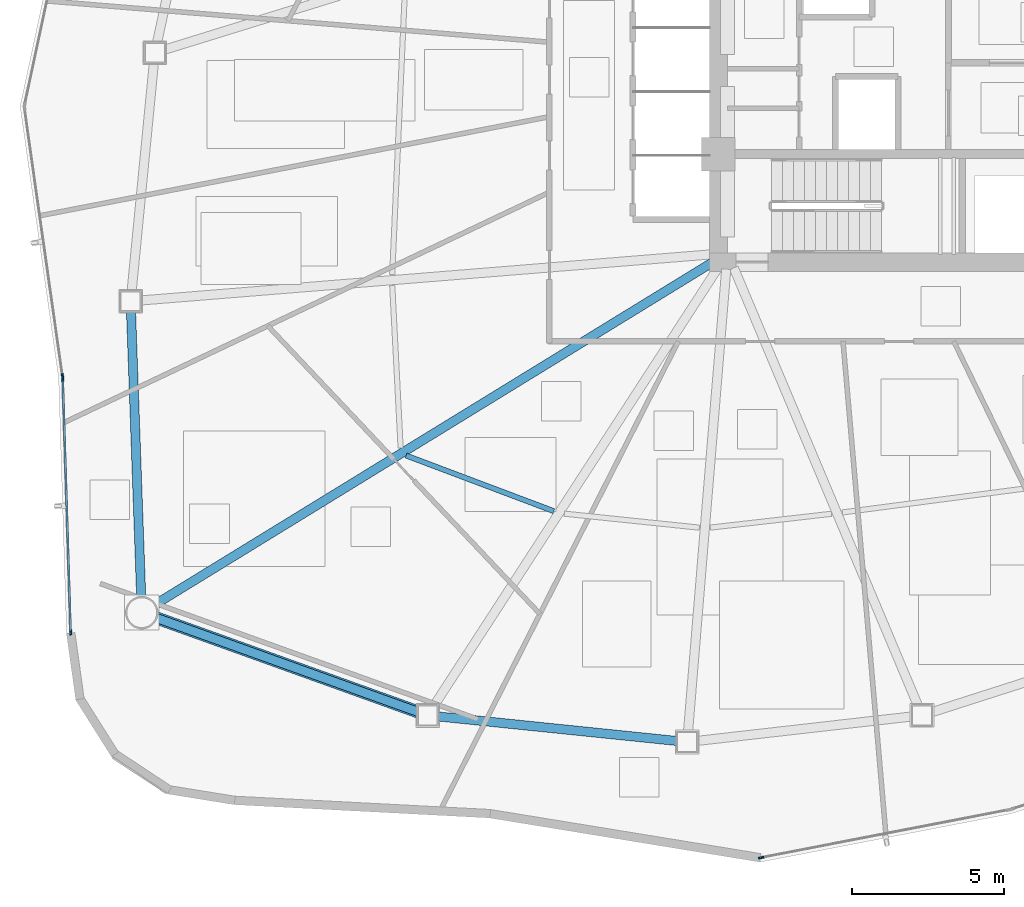
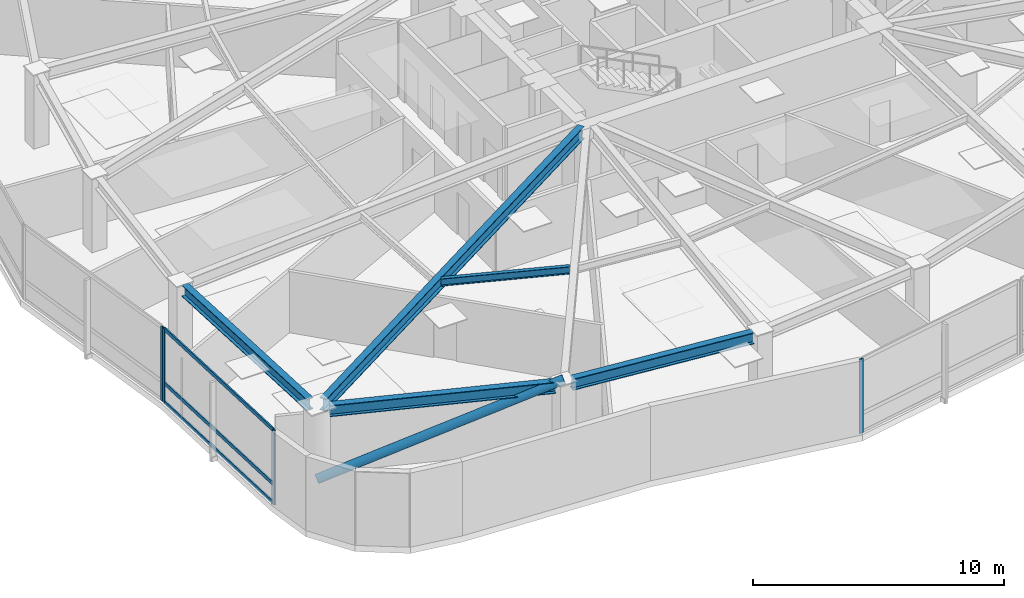
# One storey, part 2 of 17: 8 members, 5 beams, 3 elements without a shape of their own.
"""IFC4 building model written with IfcOpenShell, lengths in metres."""

from ifc_helpers import new_model, si_unit, direction, frame, origin, origin_2d, place, context, subcontext, project, spatial, hollow_rectangle, hollow_circle, i_section, extrude, source, transform, mapped, material, layer, layer_set, material_profile, profile_set, type_object, type_shapes, element, aggregate, save


model = new_model("IFC4")

# Units and contexts
model_context = context("Model", 3, precision=1e-05, world=origin(), true_north=direction((0.0, 1.0)))
body_context = subcontext(model_context, "Body", "Model", "MODEL_VIEW")
ifc_project = project(units=[si_unit("LENGTHUNIT", "METRE"), si_unit("AREAUNIT", "SQUARE_METRE"), si_unit("VOLUMEUNIT", "CUBIC_METRE"), si_unit("PLANEANGLEUNIT", "RADIAN"), si_unit("MASSUNIT", "GRAM", prefix="KILO")], contexts=[model_context])

# Site, building, storey
site_placement = place(None, origin())
site = spatial("IfcSite", under=ifc_project, at=site_placement, CompositionType="ELEMENT")
building_placement = place(site_placement, origin())
building = spatial("IfcBuilding", under=site, at=building_placement, Name="Tavelor Broadcast Tower", CompositionType="ELEMENT")
storey_placement = place(building_placement, frame((0.0, 0.0, 86.10009765625)))
storey = spatial("IfcBuildingStorey", under=building, at=storey_placement, Name="L20", CompositionType="ELEMENT", Elevation=86.10009765625)

# Beams
ifc_material_1 = material(Name="Steel S355", Category="steel")
ifc_material_profile_1 = material_profile(ifc_material_1, i_section(OverallWidth=0.169921875, OverallDepth=0.360107421875, WebThickness=0.008056640625, FlangeThickness=0.0126953125, at=origin_2d()), Name="IPE 360")
ifc_profile_set_1 = profile_set([ifc_material_profile_1], Name="Steel S355")
beam_type_1 = type_object("IfcBeamType", Name="Composite Floor Joist T2 IPE 360", PredefinedType="JOIST", material=ifc_profile_set_1)
beam_1_placement = place(storey_placement, frame((32.8408203125, 32.15087890625, 3.419921875), z_axis=(0.935788002818, -0.352563205371, 0.0), x_axis=(0.352563205371, 0.935788002818, 0.0)))
element("IfcBeam", 1, at=beam_1_placement, inside=storey, type_object=beam_type_1, Name="L20 Secondary Composite Floor Joist 07", PredefinedType="JOIST", context=body_context, shape_type="SweptSolid", body=[
    extrude(i_section(OverallWidth=0.169921875, OverallDepth=0.360107421875, WebThickness=0.008056640625, FlangeThickness=0.0126953125, at=origin_2d()), origin(), (0.0, 0.0, 1.0), 5.18310546875),
])
ifc_material_profile_2 = material_profile(ifc_material_1, i_section(OverallWidth=0.300048828125, OverallDepth=0.550048828125, WebThickness=0.014892578125, FlangeThickness=0.029052734375, at=origin_2d()), Name="HEB 550")
ifc_profile_set_2 = profile_set([ifc_material_profile_2], Name="Steel S355")
beam_type_2 = type_object("IfcBeamType", Name="Perimeter Spandrel Beam T2 HEB 550", PredefinedType="SPANDREL", material=ifc_profile_set_2)
beam_2_placement = place(storey_placement, frame((23.806640625, 36.880615234375, 3.324951171875), z_axis=(0.035613586899, -0.999365635005, 0.0), x_axis=(0.999365635005, 0.035613586899, 0.0)))
element("IfcBeam", 2, at=beam_2_placement, inside=storey, type_object=beam_type_2, Name="L20 Framed-Tube Ring Spandrel 06", PredefinedType="SPANDREL", context=body_context, shape_type="SweptSolid", body=[
    extrude(i_section(OverallWidth=0.300048828125, OverallDepth=0.550048828125, WebThickness=0.014892578125, FlangeThickness=0.029052734375, at=origin_2d()), origin(), (0.0, 0.0, 1.0), 9.384765625),
])
beam_3_placement = place(storey_placement, frame((24.64111328125, 26.81640625, 3.324951171875), z_axis=(0.941105692238, -0.338112519789, 0.0), x_axis=(0.338112519789, 0.941105692238, 0.0)))
element("IfcBeam", 3, at=beam_3_placement, inside=storey, type_object=beam_type_2, Name="L20 Framed-Tube Ring Spandrel 07", PredefinedType="SPANDREL", context=body_context, shape_type="SweptSolid", body=[
    extrude(i_section(OverallWidth=0.300048828125, OverallDepth=0.550048828125, WebThickness=0.014892578125, FlangeThickness=0.029052734375, at=origin_2d()), origin(), (0.0, 0.0, 1.0), 9.13134765625),
])
beam_4_placement = place(storey_placement, frame((33.885009765625, 23.581298828125, 3.324951171875), z_axis=(0.994770407806, -0.102136358626, 0.0), x_axis=(0.102136358626, 0.994770407806, 0.0)))
element("IfcBeam", 4, at=beam_4_placement, inside=storey, type_object=beam_type_2, Name="L20 Framed-Tube Ring Spandrel 08", PredefinedType="SPANDREL", context=body_context, shape_type="SweptSolid", body=[
    extrude(i_section(OverallWidth=0.300048828125, OverallDepth=0.550048828125, WebThickness=0.014892578125, FlangeThickness=0.029052734375, at=origin_2d()), origin(), (0.0, 0.0, 1.0), 7.895263671875),
])

# Member
ifc_material_profile_3 = material_profile(ifc_material_1, hollow_circle(Radius=0.203125, WallThickness=0.02001953125, at=origin_2d()), Name="CHS 406.4x20")
ifc_profile_set_3 = profile_set([ifc_material_profile_3], Name="Steel S355")
member_type_1 = type_object("IfcMemberType", Name="Perimeter Tube Brace T2 CHS 406.4x20", PredefinedType="BRACE", material=ifc_profile_set_3)
member_1_placement = place(storey_placement, frame((24.1591796875, 26.98974609375, 0.0), z_axis=(0.885264543661, -0.31806283815, 0.339326861191), x_axis=(0.338124247145, 0.941101478849, 0.0)))
element("IfcMember", 5, at=member_1_placement, inside=storey, type_object=member_type_1, Name="L20 Corner Tube Diagonal Brace 2", PredefinedType="BRACE", context=body_context, shape_type="SweptSolid", body=[
    extrude(hollow_circle(Radius=0.203125, WallThickness=0.02001953125, at=origin_2d()), origin(), (0.0, 0.0, 1.0), 10.60888671875),
])

# Beam
ifc_material_profile_4 = material_profile(ifc_material_1, i_section(OverallWidth=0.300048828125, OverallDepth=0.60009765625, WebThickness=0.015380859375, FlangeThickness=0.030029296875, at=origin_2d()), Name="HEB 600")
ifc_profile_set_4 = profile_set([ifc_material_profile_4], Name="Steel S355")
beam_type_3 = type_object("IfcBeamType", Name="Radial Floor Girder T2 HEB 600", PredefinedType="BEAM", material=ifc_profile_set_4)
beam_5_placement = place(storey_placement, frame((42.949951171875, 38.523681640625, 3.2998046875), z_axis=(-0.852254843795, -0.52312683092, 0.0), x_axis=(0.52312683092, -0.852254843795, 0.0)))
element("IfcBeam", 6, at=beam_5_placement, inside=storey, type_object=beam_type_3, Name="L20 Radial Primary Floor Girder 07", PredefinedType="BEAM", context=body_context, shape_type="SweptSolid", body=[
    extrude(i_section(OverallWidth=0.300048828125, OverallDepth=0.60009765625, WebThickness=0.015380859375, FlangeThickness=0.030029296875, at=origin_2d()), origin(), (0.0, 0.0, 1.0), 21.5361328125),
])

# Curtain wall, member
ifc_material_2 = material(Name="Architectural Anodized Aluminium", Category="aluminium")
ifc_layer = layer(ifc_material_2, 0.179931640625)
ifc_layer_set = layer_set([ifc_layer], Name="Architectural Anodized Aluminium")
curtain_wall_type = type_object("IfcCurtainWallType", Name="Tower Low-Zone Unitised Curtain Wall CW02", PredefinedType="NOTDEFINED", material=ifc_layer_set)
curtain_wall_1_placement = place(storey_placement, origin())
curtain_wall_1 = element("IfcCurtainWall", 7, at=curtain_wall_1_placement, inside=storey, type_object=curtain_wall_type, Name="L20 Curtain Wall CW02 Run 195", PredefinedType="NOTDEFINED")
ifc_material_profile_5 = material_profile(ifc_material_2, hollow_rectangle(XDim=0.06494140625, YDim=0.179931640625, WallThickness=0.02197265625, at=origin_2d()), Name="RHS 65x180x22")
ifc_profile_set_5 = profile_set([ifc_material_profile_5], Name="Architectural Anodized Aluminium")
member_type_2 = type_object("IfcMemberType", Name="CW02 Extruded Aluminium Mullion 65x180", PredefinedType="MULLION", material=ifc_profile_set_5)
shared_shape_1 = source(origin(), body_context, "Body", "SweptSolid", [
    extrude(hollow_rectangle(XDim=0.06494140625, YDim=0.179931640625, WallThickness=0.02197265625, at=origin_2d()), origin(), (0.0, 0.0, 1.0), 3.599853515625),
])
type_shapes(member_type_2, [shared_shape_1])
member_2_placement = place(storey_placement, frame((21.55859375, 34.75390625, 0.0), z_axis=(0.0, 0.0, 1.0), x_axis=(0.990108057878, 0.14030692686, 0.0)))
member_2 = element("IfcMember", 8, at=member_2_placement, type_object=member_type_2, Name="CW02 mullion 2", PredefinedType="MULLION", context=body_context, shape_type="MappedRepresentation", body=[
    mapped(shared_shape_1, transform((0.0, 0.0, 0.0), scale=1.0)),
])
aggregate(curtain_wall_1, [member_2])

# Curtain wall, members
curtain_wall_2_placement = place(storey_placement, origin())
curtain_wall_2 = element("IfcCurtainWall", 9, at=curtain_wall_2_placement, inside=storey, type_object=curtain_wall_type, Name="L20 Curtain Wall CW02 Run 196", PredefinedType="NOTDEFINED")
member_3_placement = place(storey_placement, frame((21.56689453125, 34.659423828125, 0.0), z_axis=(0.0, 0.0, 1.0), x_axis=(0.999519276561, 0.031003480169, 0.0)))
member_3 = element("IfcMember", 10, at=member_3_placement, type_object=member_type_2, Name="CW02 mullion 1", PredefinedType="MULLION", context=body_context, shape_type="MappedRepresentation", body=[
    mapped(shared_shape_1, transform((0.0, 0.0, 0.0), scale=1.0)),
])
member_4_placement = place(storey_placement, frame((21.82470703125, 26.345458984375, 0.0), z_axis=(0.0, 0.0, 1.0), x_axis=(0.999519276561, 0.031003480169, 0.0)))
member_4 = element("IfcMember", 11, at=member_4_placement, type_object=member_type_2, Name="CW02 mullion 2", PredefinedType="MULLION", context=body_context, shape_type="MappedRepresentation", body=[
    mapped(shared_shape_1, transform((0.0, 0.0, 0.0), scale=1.0)),
])

# Curtain wall, member
curtain_wall_3_placement = place(storey_placement, origin())
curtain_wall_3 = element("IfcCurtainWall", 12, at=curtain_wall_3_placement, inside=storey, type_object=curtain_wall_type, Name="L20 Curtain Wall CW02 Run 197", PredefinedType="NOTDEFINED")
member_5_placement = place(storey_placement, frame((44.50390625, 18.943359375, 0.0), z_axis=(0.0, 0.0, 1.0), x_axis=(-0.189519891862, 0.981876881584, 0.0)))
member_5 = element("IfcMember", 13, at=member_5_placement, type_object=member_type_2, Name="CW02 mullion 1", PredefinedType="MULLION", context=body_context, shape_type="MappedRepresentation", body=[
    mapped(shared_shape_1, transform((0.0, 0.0, 0.0), scale=1.0)),
])
aggregate(curtain_wall_3, [member_5])

# Member
ifc_material_profile_6 = material_profile(ifc_material_2, hollow_rectangle(XDim=0.06494140625, YDim=0.179931640625, WallThickness=0.02197265625, at=origin_2d()), Name="RHS 65x180x22")
ifc_profile_set_6 = profile_set([ifc_material_profile_6], Name="Architectural Anodized Aluminium")
member_type_3 = type_object("IfcMemberType", Name="CW02 Extruded Aluminium Transom 65x180", PredefinedType="USERDEFINED", material=ifc_profile_set_6)
shared_shape_2 = source(origin(), body_context, "Body", "SweptSolid", [
    extrude(hollow_rectangle(XDim=0.06494140625, YDim=0.179931640625, WallThickness=0.02197265625, at=origin_2d()), origin(), (0.0, 0.0, 1.0), 8.2529296875),
])
type_shapes(member_type_3, [shared_shape_2])
member_6_placement = place(storey_placement, frame((21.56787109375, 34.626953125, 0.032470703125), z_axis=(0.031002019927, -0.999519321854, 0.0), x_axis=(0.999519321854, 0.031002019927, 0.0)))
member_6 = element("IfcMember", 14, at=member_6_placement, type_object=member_type_3, Name="CW02 transom 1.1", ObjectType="TRANSOM", PredefinedType="USERDEFINED", context=body_context, shape_type="MappedRepresentation", body=[
    mapped(shared_shape_2, transform((0.0, 0.0, 0.0), scale=1.0)),
])

member_7_placement = place(storey_placement, frame((21.56787109375, 34.626953125, 0.949951171875), z_axis=(0.031002019927, -0.999519321854, 0.0), x_axis=(0.999519321854, 0.031002019927, 0.0)))
member_7 = element("IfcMember", 15, at=member_7_placement, type_object=member_type_3, Name="CW02 transom 1.2", ObjectType="TRANSOM", PredefinedType="USERDEFINED", context=body_context, shape_type="MappedRepresentation", body=[
    mapped(shared_shape_2, transform((0.0, 0.0, 0.0), scale=1.0)),
])

member_8_placement = place(storey_placement, frame((21.56787109375, 34.626953125, 3.5673828125), z_axis=(0.031002019927, -0.999519321854, 0.0), x_axis=(0.999519321854, 0.031002019927, 0.0)))
member_8 = element("IfcMember", 16, at=member_8_placement, type_object=member_type_3, Name="CW02 transom 1.3", ObjectType="TRANSOM", PredefinedType="USERDEFINED", context=body_context, shape_type="MappedRepresentation", body=[
    mapped(shared_shape_2, transform((0.0, 0.0, 0.0), scale=1.0)),
])

aggregate(curtain_wall_2, [member_3, member_4, member_6, member_7, member_8])

save(model, "model.ifc")
